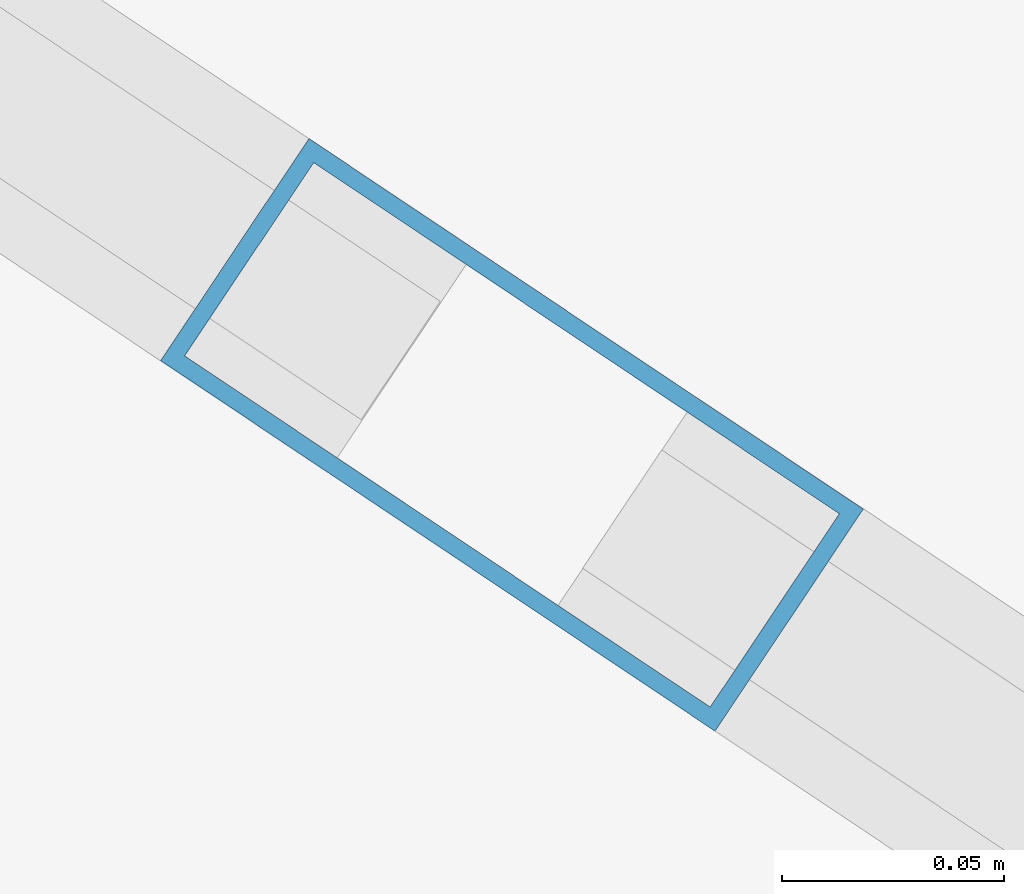
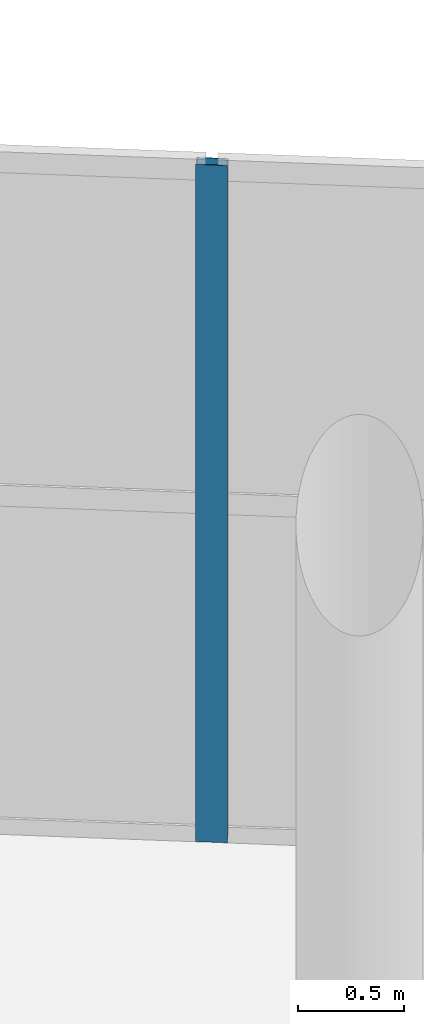
# One storey, part 34 of 63: 1 member, 1 element without a shape of its own.
"""IFC4 building model written with IfcOpenShell, lengths in metres."""

import ifcopenshell
import ifcopenshell.guid

model = None  # the IFC model being written
_history = None  # IfcOwnerHistory: only IFC2X3 demands one
_inside = {}  # id of a spatial element -> (the spatial element, [elements in it])
_under = {}  # id of a project, library or spatial element -> (it, [spatial elements below it])
_declared = {}  # id of a project -> (the project, [libraries it declares])
_typed = {}  # id of a type object -> (the type object, [elements of that type])
_made_of = {}  # id of a material, layer set ... -> (it, [elements and type objects made of it])


def new_model(schema):
    """Start an empty IFC model of exactly this schema.

    Asked for "IFC4X3", IfcOpenShell would pick the latest addendum, in which some entities
    have other attributes; the version numbers below select the first issue.
    IFC2X3 requires an IfcOwnerHistory on every rooted entity: one is made here for all.
    """
    global model, _history
    if schema == "IFC4X3":
        model = ifcopenshell.file(schema_version=(4, 3, 0, 0))
    else:
        model = ifcopenshell.file(schema=schema)
    _inside.clear()
    _under.clear()
    _declared.clear()
    _typed.clear()
    _made_of.clear()
    _history = None
    if model.schema == "IFC2X3":
        org = make("IfcOrganization", Name="unknown")
        user = make(
            "IfcPersonAndOrganization",
            ThePerson=make("IfcPerson", FamilyName="unknown"),
            TheOrganization=org,
        )
        app = make(
            "IfcApplication",
            ApplicationDeveloper=org,
            Version="unknown",
            ApplicationFullName="unknown",
            ApplicationIdentifier="unknown",
        )
        _history = make(
            "IfcOwnerHistory",
            OwningUser=user,
            OwningApplication=app,
            ChangeAction="ADDED",
            CreationDate=0,
        )
    return model


def make(cls, **values):
    """One entity of the class cls with the attributes given. An attribute that is None is left unset."""
    return model.create_entity(
        cls, **{name: value for name, value in values.items() if value is not None}
    )


def rooted(cls, **values):
    """An entity with a GlobalId (a new one), such as an element, a storey or a relation."""
    return make(cls, GlobalId=ifcopenshell.guid.new(), OwnerHistory=_history, **values)


def si_unit(unit_type, name, prefix=None):
    """IfcSIUnit, for example si_unit("LENGTHUNIT", "METRE", prefix="MILLI")."""
    return make("IfcSIUnit", UnitType=unit_type, Prefix=prefix, Name=name)


def assignment(units):
    """IfcUnitAssignment: the units of a project."""
    return None if units is None else make("IfcUnitAssignment", Units=units)


def point(xyz):
    """IfcCartesianPoint."""
    return None if xyz is None else make("IfcCartesianPoint", Coordinates=xyz)


def direction(xyz):
    """IfcDirection."""
    return None if xyz is None else make("IfcDirection", DirectionRatios=xyz)


def frame(location, z_axis=None, x_axis=None):
    """IfcAxis2Placement3D, a coordinate frame: its origin and axes. An axis left out is left unset."""
    return make(
        "IfcAxis2Placement3D",
        Location=point(location),
        Axis=direction(z_axis),
        RefDirection=direction(x_axis),
    )


def frame_2d(location, x_axis=None):
    """IfcAxis2Placement2D, a coordinate frame in the plane: its origin and x axis."""
    return make(
        "IfcAxis2Placement2D", Location=point(location), RefDirection=direction(x_axis)
    )


def origin():
    """The frame at (0, 0, 0) with its axes left unset."""
    return frame((0.0, 0.0, 0.0))


def origin_2d():
    """The frame at (0, 0) in the plane with its x axis left unset."""
    return frame_2d((0.0, 0.0))


def place(relative_to, where):
    """IfcLocalPlacement: puts the frame where relative to a parent placement (None: the world)."""
    return make(
        "IfcLocalPlacement", PlacementRelTo=relative_to, RelativePlacement=where
    )


def context(
    kind, dimensions, precision=None, world=None, true_north=None, identifier=None
):
    """IfcGeometricRepresentationContext, for example the 3D "Model" context."""
    return make(
        "IfcGeometricRepresentationContext",
        ContextIdentifier=identifier,
        ContextType=kind,
        CoordinateSpaceDimension=dimensions,
        Precision=precision,
        WorldCoordinateSystem=world,
        TrueNorth=true_north,
    )


def subcontext(parent, identifier, kind, view, scale=None):
    """IfcGeometricRepresentationSubContext, for example "Body" below "Model"."""
    return make(
        "IfcGeometricRepresentationSubContext",
        ContextIdentifier=identifier,
        ContextType=kind,
        ParentContext=parent,
        TargetScale=scale,
        TargetView=view,
    )


def project(units=None, contexts=None):
    """IfcProject with its units and contexts."""
    return rooted(
        "IfcProject",
        Name="project",
        RepresentationContexts=contexts,
        UnitsInContext=assignment(units),
    )


def spatial(cls, under=None, at=None, **own):
    """A site, building, storey or space (cls), placed at a placement, below another one or the project."""
    s = rooted(cls, ObjectPlacement=at, **own)
    if under is not None:
        _under.setdefault(under.id(), (under, []))[1].append(s)
    return s


def profile(cls, at=None, kind="AREA", **sizes):
    """A parametric profile (cls). Its sizes go by their IFC names, for example OverallWidth=200.0."""
    return make(cls, ProfileType=kind, Position=at, **sizes)


def hollow_rectangle(**sizes):
    """IfcRectangleHollowProfileDef."""
    return profile("IfcRectangleHollowProfileDef", **sizes)


def extrude(swept, where, along, depth):
    """IfcExtrudedAreaSolid: the profile swept, set in the frame where, extruded along a direction by depth."""
    return make(
        "IfcExtrudedAreaSolid",
        SweptArea=swept,
        Position=where,
        ExtrudedDirection=direction(along),
        Depth=depth,
    )


def shape(context_of_items, identifier, shape_type, items):
    """IfcShapeRepresentation: the items that make up one representation, for example the "Body"."""
    return make(
        "IfcShapeRepresentation",
        ContextOfItems=context_of_items,
        RepresentationIdentifier=identifier,
        RepresentationType=shape_type,
        Items=items,
    )


def material(Name=None, Category=None):
    """IfcMaterial."""
    return make("IfcMaterial", Name=Name, Category=Category)


def layer(
    of_material, thickness, ventilated=None, Name=None, Category=None, Priority=None
):
    """IfcMaterialLayer: one layer of a wall or slab, of a material (None: an air gap)."""
    return make(
        "IfcMaterialLayer",
        Material=of_material,
        LayerThickness=thickness,
        IsVentilated=ventilated,
        Name=Name,
        Category=Category,
        Priority=Priority,
    )


def layer_set(layers, Name=None):
    """IfcMaterialLayerSet."""
    return make("IfcMaterialLayerSet", MaterialLayers=layers, LayerSetName=Name)


def material_profile(
    of_material, cross_section, Name=None, Category=None, Priority=None
):
    """IfcMaterialProfile: a cross section and its material."""
    return make(
        "IfcMaterialProfile",
        Name=Name,
        Material=of_material,
        Profile=cross_section,
        Priority=Priority,
        Category=Category,
    )


def profile_set(profiles, Name=None, composite=None):
    """IfcMaterialProfileSet."""
    return make(
        "IfcMaterialProfileSet",
        Name=Name,
        MaterialProfiles=profiles,
        CompositeProfile=composite,
    )


def made_of(thing, what):
    """Note that an element or type object is made of a material, layer set ...; save() writes the relation."""
    if what is not None:
        _made_of.setdefault(what.id(), (what, []))[1].append(thing)
    return thing


def type_object(cls, material=None, **own):
    """A type object (cls), such as IfcWallType, which elements share."""
    return made_of(rooted(cls, **own), material)


def element(
    cls,
    number,
    at=None,
    inside=None,
    cuts=None,
    type_object=None,
    material=None,
    context=None,
    identifier="Body",
    shape_type=None,
    held_by="IfcProductDefinitionShape",
    body=None,
    shapes=None,
    **own,
):
    """One element of the class cls, such as IfcWall. Its Tag is "e" and its number.

    at: its placement. inside: the storey or other place that contains it. cuts: it is an
    opening in that element (IfcRelVoidsElement). A single representation is given by context,
    identifier, shape_type and body (its items); several are given by shapes. held_by: the class
    of the entity that holds the representations. save() writes the other relations.
    """
    e = rooted(cls, Tag="e%d" % number, ObjectPlacement=at, **own)
    if body is not None:
        shapes = [shape(context, identifier, shape_type, body)]
    if shapes is not None:
        e.Representation = make(held_by, Representations=shapes)
    if inside is not None:
        _inside.setdefault(inside.id(), (inside, []))[1].append(e)
    if cuts is not None:
        rooted(
            "IfcRelVoidsElement", RelatingBuildingElement=cuts, RelatedOpeningElement=e
        )
    if type_object is not None:
        _typed.setdefault(type_object.id(), (type_object, []))[1].append(e)
    return made_of(e, material)


def aggregate(whole, parts):
    """IfcRelAggregates: a whole, such as a stair, and the parts it consists of."""
    return rooted("IfcRelAggregates", RelatingObject=whole, RelatedObjects=parts)


def save(model, path):
    """Write the relations noted so far, then the file.

    IfcRelAggregates (storeys below a building ...), IfcRelContainedInSpatialStructure (elements
    in a storey), IfcRelDefinesByType, IfcRelAssociatesMaterial and IfcRelDeclares: one each for
    every whole, place, type object, material and project.
    """
    for whole, parts in _under.values():
        aggregate(whole, parts)
    for where, things in _inside.values():
        rooted(
            "IfcRelContainedInSpatialStructure",
            RelatedElements=things,
            RelatingStructure=where,
        )
    for kind, things in _typed.values():
        rooted("IfcRelDefinesByType", RelatedObjects=things, RelatingType=kind)
    for what, things in _made_of.values():
        rooted("IfcRelAssociatesMaterial", RelatedObjects=things, RelatingMaterial=what)
    for by, libraries in _declared.values():
        rooted("IfcRelDeclares", RelatingContext=by, RelatedDefinitions=libraries)
    model.write(path)


model = new_model("IFC4")

# Units and contexts
model_context = context("Model", 3, precision=1e-05, world=origin(), true_north=direction((0.0, 1.0)))
body_context = subcontext(model_context, "Body", "Model", "MODEL_VIEW")
ifc_project = project(units=[si_unit("LENGTHUNIT", "METRE"), si_unit("AREAUNIT", "SQUARE_METRE"), si_unit("VOLUMEUNIT", "CUBIC_METRE"), si_unit("PLANEANGLEUNIT", "RADIAN"), si_unit("MASSUNIT", "GRAM", prefix="KILO")], contexts=[model_context])

# Site, building, storey
site_placement = place(None, origin())
site = spatial("IfcSite", under=ifc_project, at=site_placement, CompositionType="ELEMENT")
building_placement = place(site_placement, origin())
building = spatial("IfcBuilding", under=site, at=building_placement, Name="Zizhar Promenade General Hospital", CompositionType="ELEMENT")
storey_placement = place(building_placement, frame((0.0, 0.0, 18.0)))
storey = spatial("IfcBuildingStorey", under=building, at=storey_placement, Name="L04", CompositionType="ELEMENT", Elevation=18.0)

# Curtain wall, member
ifc_material_1 = material(Name="Anodised aluminium 6063-T6 and low-E glass", Category="aluminium")
ifc_layer = layer(ifc_material_1, 0.159912109375)
ifc_layer_set = layer_set([ifc_layer], Name="Anodised aluminium 6063-T6 and low-E glass")
curtain_wall_type = type_object("IfcCurtainWallType", Name="CW-WARD-ARC", PredefinedType="NOTDEFINED", material=ifc_layer_set)
curtain_wall_placement = place(storey_placement, origin())
curtain_wall = element("IfcCurtainWall", 1, at=curtain_wall_placement, inside=storey, type_object=curtain_wall_type, Name="Ward Semicircular End Glazing L04-07", PredefinedType="NOTDEFINED")
ifc_material_2 = material(Name="Anodised aluminium 6063-T6", Category="aluminium")
ifc_material_profile = material_profile(ifc_material_2, hollow_rectangle(XDim=0.06005859375, YDim=0.14990234375, WallThickness=0.00390625, at=origin_2d()))
ifc_profile_set = profile_set([ifc_material_profile], Name="Anodised aluminium 6063-T6")
member_type = type_object("IfcMemberType", Name="CWM-ALU-150x60", PredefinedType="MULLION", material=ifc_profile_set)
member_placement = place(storey_placement, frame((125.86572265625, 22.875244140625, 0.0), z_axis=(0.0, 0.0, 1.0), x_axis=(0.555582352095, 0.831461514468, 0.0)))
member = element("IfcMember", 2, at=member_placement, type_object=member_type, Name="CW-12 mullion 2", PredefinedType="MULLION", context=body_context, shape_type="SweptSolid", body=[
    extrude(hollow_rectangle(XDim=0.06005859375, YDim=0.14990234375, WallThickness=0.00390625, at=origin_2d()), origin(), (0.0, 0.0, 1.0), 3.89990234375),
])
aggregate(curtain_wall, [member])

save(model, "model.ifc")
